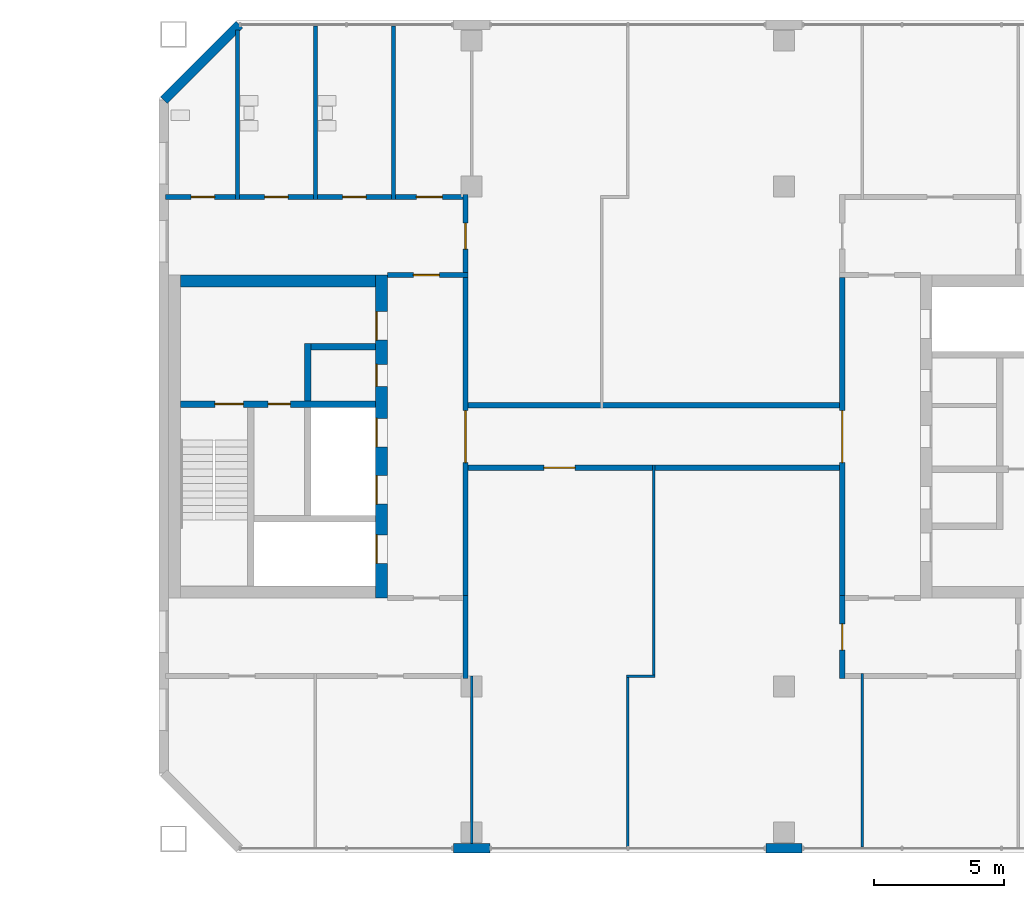
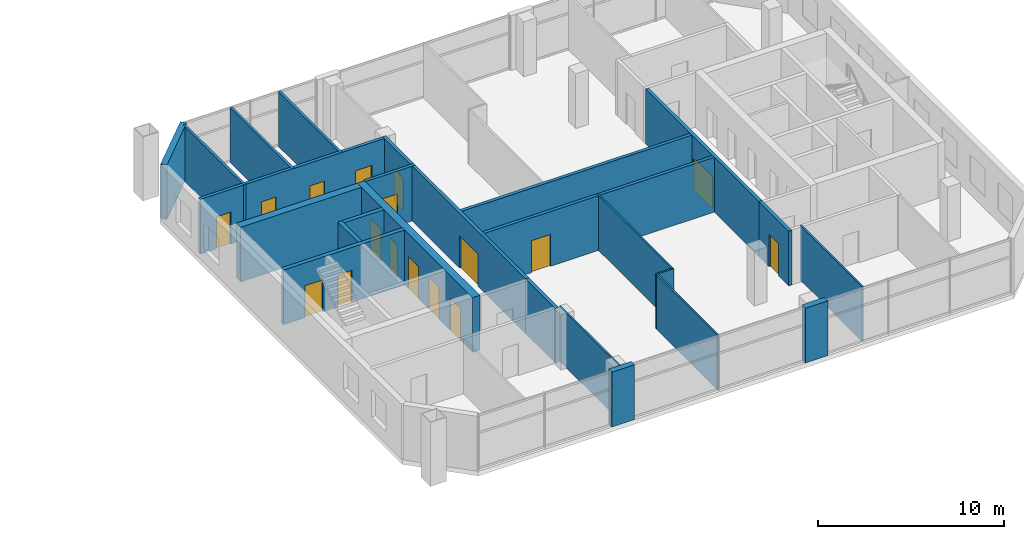
# One storey, part 14 of 19: 25 walls, 17 doors, 17 openings.
"""IFC4 building model written with IfcOpenShell, lengths in metres."""

import ifcopenshell
import ifcopenshell.guid

model = None  # the IFC model being written
_history = None  # IfcOwnerHistory: only IFC2X3 demands one
_inside = {}  # id of a spatial element -> (the spatial element, [elements in it])
_under = {}  # id of a project, library or spatial element -> (it, [spatial elements below it])
_declared = {}  # id of a project -> (the project, [libraries it declares])
_typed = {}  # id of a type object -> (the type object, [elements of that type])
_made_of = {}  # id of a material, layer set ... -> (it, [elements and type objects made of it])


def new_model(schema):
    """Start an empty IFC model of exactly this schema.

    Asked for "IFC4X3", IfcOpenShell would pick the latest addendum, in which some entities
    have other attributes; the version numbers below select the first issue.
    IFC2X3 requires an IfcOwnerHistory on every rooted entity: one is made here for all.
    """
    global model, _history
    if schema == "IFC4X3":
        model = ifcopenshell.file(schema_version=(4, 3, 0, 0))
    else:
        model = ifcopenshell.file(schema=schema)
    _inside.clear()
    _under.clear()
    _declared.clear()
    _typed.clear()
    _made_of.clear()
    _history = None
    if model.schema == "IFC2X3":
        org = make("IfcOrganization", Name="unknown")
        user = make(
            "IfcPersonAndOrganization",
            ThePerson=make("IfcPerson", FamilyName="unknown"),
            TheOrganization=org,
        )
        app = make(
            "IfcApplication",
            ApplicationDeveloper=org,
            Version="unknown",
            ApplicationFullName="unknown",
            ApplicationIdentifier="unknown",
        )
        _history = make(
            "IfcOwnerHistory",
            OwningUser=user,
            OwningApplication=app,
            ChangeAction="ADDED",
            CreationDate=0,
        )
    return model


def make(cls, **values):
    """One entity of the class cls with the attributes given. An attribute that is None is left unset."""
    return model.create_entity(
        cls, **{name: value for name, value in values.items() if value is not None}
    )


def rooted(cls, **values):
    """An entity with a GlobalId (a new one), such as an element, a storey or a relation."""
    return make(cls, GlobalId=ifcopenshell.guid.new(), OwnerHistory=_history, **values)


def si_unit(unit_type, name, prefix=None):
    """IfcSIUnit, for example si_unit("LENGTHUNIT", "METRE", prefix="MILLI")."""
    return make("IfcSIUnit", UnitType=unit_type, Prefix=prefix, Name=name)


def assignment(units):
    """IfcUnitAssignment: the units of a project."""
    return None if units is None else make("IfcUnitAssignment", Units=units)


def point(xyz):
    """IfcCartesianPoint."""
    return None if xyz is None else make("IfcCartesianPoint", Coordinates=xyz)


def direction(xyz):
    """IfcDirection."""
    return None if xyz is None else make("IfcDirection", DirectionRatios=xyz)


def frame(location, z_axis=None, x_axis=None):
    """IfcAxis2Placement3D, a coordinate frame: its origin and axes. An axis left out is left unset."""
    return make(
        "IfcAxis2Placement3D",
        Location=point(location),
        Axis=direction(z_axis),
        RefDirection=direction(x_axis),
    )


def frame_2d(location, x_axis=None):
    """IfcAxis2Placement2D, a coordinate frame in the plane: its origin and x axis."""
    return make(
        "IfcAxis2Placement2D", Location=point(location), RefDirection=direction(x_axis)
    )


def origin():
    """The frame at (0, 0, 0) with its axes left unset."""
    return frame((0.0, 0.0, 0.0))


def place(relative_to, where):
    """IfcLocalPlacement: puts the frame where relative to a parent placement (None: the world)."""
    return make(
        "IfcLocalPlacement", PlacementRelTo=relative_to, RelativePlacement=where
    )


def context(
    kind, dimensions, precision=None, world=None, true_north=None, identifier=None
):
    """IfcGeometricRepresentationContext, for example the 3D "Model" context."""
    return make(
        "IfcGeometricRepresentationContext",
        ContextIdentifier=identifier,
        ContextType=kind,
        CoordinateSpaceDimension=dimensions,
        Precision=precision,
        WorldCoordinateSystem=world,
        TrueNorth=true_north,
    )


def subcontext(parent, identifier, kind, view, scale=None):
    """IfcGeometricRepresentationSubContext, for example "Body" below "Model"."""
    return make(
        "IfcGeometricRepresentationSubContext",
        ContextIdentifier=identifier,
        ContextType=kind,
        ParentContext=parent,
        TargetScale=scale,
        TargetView=view,
    )


def project(units=None, contexts=None):
    """IfcProject with its units and contexts."""
    return rooted(
        "IfcProject",
        Name="project",
        RepresentationContexts=contexts,
        UnitsInContext=assignment(units),
    )


def spatial(cls, under=None, at=None, **own):
    """A site, building, storey or space (cls), placed at a placement, below another one or the project."""
    s = rooted(cls, ObjectPlacement=at, **own)
    if under is not None:
        _under.setdefault(under.id(), (under, []))[1].append(s)
    return s


def profile(cls, at=None, kind="AREA", **sizes):
    """A parametric profile (cls). Its sizes go by their IFC names, for example OverallWidth=200.0."""
    return make(cls, ProfileType=kind, Position=at, **sizes)


def rectangle(**sizes):
    """IfcRectangleProfileDef."""
    return profile("IfcRectangleProfileDef", **sizes)


def extrude(swept, where, along, depth):
    """IfcExtrudedAreaSolid: the profile swept, set in the frame where, extruded along a direction by depth."""
    return make(
        "IfcExtrudedAreaSolid",
        SweptArea=swept,
        Position=where,
        ExtrudedDirection=direction(along),
        Depth=depth,
    )


def shape(context_of_items, identifier, shape_type, items):
    """IfcShapeRepresentation: the items that make up one representation, for example the "Body"."""
    return make(
        "IfcShapeRepresentation",
        ContextOfItems=context_of_items,
        RepresentationIdentifier=identifier,
        RepresentationType=shape_type,
        Items=items,
    )


def material(Name=None, Category=None):
    """IfcMaterial."""
    return make("IfcMaterial", Name=Name, Category=Category)


def layer(
    of_material, thickness, ventilated=None, Name=None, Category=None, Priority=None
):
    """IfcMaterialLayer: one layer of a wall or slab, of a material (None: an air gap)."""
    return make(
        "IfcMaterialLayer",
        Material=of_material,
        LayerThickness=thickness,
        IsVentilated=ventilated,
        Name=Name,
        Category=Category,
        Priority=Priority,
    )


def layer_set(layers, Name=None):
    """IfcMaterialLayerSet."""
    return make("IfcMaterialLayerSet", MaterialLayers=layers, LayerSetName=Name)


def made_of(thing, what):
    """Note that an element or type object is made of a material, layer set ...; save() writes the relation."""
    if what is not None:
        _made_of.setdefault(what.id(), (what, []))[1].append(thing)
    return thing


def type_object(cls, material=None, **own):
    """A type object (cls), such as IfcWallType, which elements share."""
    return made_of(rooted(cls, **own), material)


def element(
    cls,
    number,
    at=None,
    inside=None,
    cuts=None,
    type_object=None,
    material=None,
    context=None,
    identifier="Body",
    shape_type=None,
    held_by="IfcProductDefinitionShape",
    body=None,
    shapes=None,
    **own,
):
    """One element of the class cls, such as IfcWall. Its Tag is "e" and its number.

    at: its placement. inside: the storey or other place that contains it. cuts: it is an
    opening in that element (IfcRelVoidsElement). A single representation is given by context,
    identifier, shape_type and body (its items); several are given by shapes. held_by: the class
    of the entity that holds the representations. save() writes the other relations.
    """
    e = rooted(cls, Tag="e%d" % number, ObjectPlacement=at, **own)
    if body is not None:
        shapes = [shape(context, identifier, shape_type, body)]
    if shapes is not None:
        e.Representation = make(held_by, Representations=shapes)
    if inside is not None:
        _inside.setdefault(inside.id(), (inside, []))[1].append(e)
    if cuts is not None:
        rooted(
            "IfcRelVoidsElement", RelatingBuildingElement=cuts, RelatedOpeningElement=e
        )
    if type_object is not None:
        _typed.setdefault(type_object.id(), (type_object, []))[1].append(e)
    return made_of(e, material)


def fill(opening, filler):
    """IfcRelFillsElement: the door or window that sits in an opening."""
    return rooted(
        "IfcRelFillsElement",
        RelatingOpeningElement=opening,
        RelatedBuildingElement=filler,
    )


def aggregate(whole, parts):
    """IfcRelAggregates: a whole, such as a stair, and the parts it consists of."""
    return rooted("IfcRelAggregates", RelatingObject=whole, RelatedObjects=parts)


def save(model, path):
    """Write the relations noted so far, then the file.

    IfcRelAggregates (storeys below a building ...), IfcRelContainedInSpatialStructure (elements
    in a storey), IfcRelDefinesByType, IfcRelAssociatesMaterial and IfcRelDeclares: one each for
    every whole, place, type object, material and project.
    """
    for whole, parts in _under.values():
        aggregate(whole, parts)
    for where, things in _inside.values():
        rooted(
            "IfcRelContainedInSpatialStructure",
            RelatedElements=things,
            RelatingStructure=where,
        )
    for kind, things in _typed.values():
        rooted("IfcRelDefinesByType", RelatedObjects=things, RelatingType=kind)
    for what, things in _made_of.values():
        rooted("IfcRelAssociatesMaterial", RelatedObjects=things, RelatingMaterial=what)
    for by, libraries in _declared.values():
        rooted("IfcRelDeclares", RelatingContext=by, RelatedDefinitions=libraries)
    model.write(path)


model = new_model("IFC4")

# Units and contexts
model_context = context("Model", 3, precision=1e-05, world=origin(), true_north=direction((0.0, 1.0)))
body_context = subcontext(model_context, "Body", "Model", "MODEL_VIEW")
ifc_project = project(units=[si_unit("LENGTHUNIT", "METRE"), si_unit("AREAUNIT", "SQUARE_METRE"), si_unit("VOLUMEUNIT", "CUBIC_METRE"), si_unit("PLANEANGLEUNIT", "RADIAN"), si_unit("MASSUNIT", "GRAM", prefix="KILO")], contexts=[model_context])

# Site, building, storey
site_placement = place(None, origin())
site = spatial("IfcSite", under=ifc_project, at=site_placement, CompositionType="ELEMENT")
building_placement = place(site_placement, origin())
building = spatial("IfcBuilding", under=site, at=building_placement, Name="Tuart Gate Housing", CompositionType="ELEMENT")
storey_placement = place(building_placement, frame((0.0, 0.0, 171.60009765625)))
storey = spatial("IfcBuildingStorey", under=building, at=storey_placement, Name="L48", CompositionType="ELEMENT", Elevation=171.60009765625)

# Walls
ifc_material_1 = material(Name="Gypsum board on steel studs", Category="steel")
ifc_layer_1 = layer(ifc_material_1, 0.14990234375)
ifc_layer_set_1 = layer_set([ifc_layer_1], Name="Bathroom wall 150")
wall_type_1 = type_object("IfcWallType", Name="Bathroom wall 150", PredefinedType="PLUMBINGWALL", material=ifc_layer_set_1)
wall_1_placement = place(storey_placement, frame((134.0, 79.10009765625, 0.0), z_axis=(0.0, 0.0, 1.0), x_axis=(0.0, 1.0, 0.0)))
element("IfcWall", 1, at=wall_1_placement, inside=storey, type_object=wall_type_1, Name="Bathroom wall 150", PredefinedType="PLUMBINGWALL", context=body_context, shape_type="SweptSolid", body=[
    extrude(rectangle(XDim=6.510986328125, YDim=0.14990234375, at=frame_2d((3.25537109375, 0.0))), origin(), (0.0, 0.0, 1.0), 3.599853515625),
])
for number, where, z_axis, x_axis, name in (
    (2, (137.0, 79.10009765625, 0.0), (0.0, 0.0, 1.0), (0.0, 1.0, 0.0), "Bathroom wall 150"),
    (3, (140.0, 79.10009765625, 0.0), (0.0, 0.0, 1.0), (0.0, 1.0, 0.0), "Bathroom wall 150"),
):
    element("IfcWall", number, at=place(storey_placement, frame(where, z_axis=z_axis, x_axis=x_axis)), inside=storey, type_object=wall_type_1, Name=name, PredefinedType="PLUMBINGWALL", context=body_context, shape_type="SweptSolid", body=[
        extrude(rectangle(XDim=6.659912109375, YDim=0.14990234375, at=frame_2d((3.330078125, 0.0))), origin(), (0.0, 0.0, 1.0), 3.599853515625),
    ])
ifc_material_2 = material(Name="Brick", Category="masonry")
ifc_layer_2 = layer(ifc_material_2, 0.360107421875)
ifc_layer_set_2 = layer_set([ifc_layer_2], Name="Brick pier and spandrel wall 360")
wall_type_2 = type_object("IfcWallType", Name="Brick pier and spandrel wall 360", PredefinedType="STANDARD", material=ifc_layer_set_2)
for number, where, z_axis, x_axis, name in (
    (4, (142.300048828125, 54.179931640625, 0.0), (0.0, 0.0, 1.0), (1.0, 0.0, 0.0), "External wall B-S L48"),
    (5, (154.300048828125, 54.179931640625, 0.0), (0.0, 0.0, 1.0), (1.0, 0.0, 0.0), "External wall B-S L48"),
):
    element("IfcWall", number, at=place(storey_placement, frame(where, z_axis=z_axis, x_axis=x_axis)), inside=storey, type_object=wall_type_2, Name=name, PredefinedType="STANDARD", context=body_context, shape_type="SweptSolid", body=[
        extrude(rectangle(XDim=1.39990234375, YDim=0.360107421875, at=frame_2d((0.699951171875, 0.0))), origin(), (0.0, 0.0, 1.0), 3.599853515625),
    ])
wall_2_placement = place(storey_placement, frame((134.07470703125, 85.820068359375, 0.0), z_axis=(0.0, 0.0, 1.0), x_axis=(-0.707106781187, -0.707106781187, 0.0)))
element("IfcWall", 6, at=wall_2_placement, inside=storey, type_object=wall_type_2, Name="External wall B-NW L48", PredefinedType="STANDARD", context=body_context, shape_type="SweptSolid", body=[
    extrude(rectangle(XDim=4.09375, YDim=0.360107421875, at=frame_2d((2.046875, 0.0))), origin(), (0.0, 0.0, 1.0), 3.599853515625),
])

# Wall, openings, doors
ifc_material_3 = material(Name="Concrete C40", Category="concrete")
ifc_layer_3 = layer(ifc_material_3, 0.25)
ifc_layer_set_3 = layer_set([ifc_layer_3], Name="Core wall 250 C40")
wall_type_3 = type_object("IfcWallType", Name="Core wall 250 C40", PredefinedType="SHEAR", material=ifc_layer_set_3)
wall_3_placement = place(storey_placement, frame((139.31005859375, 71.25, 0.0), z_axis=(0.0, 0.0, 1.0), x_axis=(-1.0, 0.0, 0.0)))
wall_3 = element("IfcWall", 7, at=wall_3_placement, inside=storey, type_object=wall_type_3, Name="Core wall BG.2", PredefinedType="SHEAR", context=body_context, shape_type="SweptSolid", body=[
    extrude(rectangle(XDim=7.5, YDim=0.25, at=frame_2d((3.75, 0.0))), origin(), (0.0, 0.0, 1.0), 3.599853515625),
])
opening_1_placement = place(wall_3_placement, frame((5.074951171875, 0.0, 0.0)))
opening_1 = element("IfcOpeningElement", 8, at=opening_1_placement, cuts=wall_3, Name="Opening D255", PredefinedType="OPENING", context=body_context, shape_type="SweptSolid", body=[
    extrude(rectangle(XDim=1.10009765625, YDim=2.10009765625, at=frame_2d((0.550048828125, 1.050048828125))), frame((0.0, 0.135009765625, 0.0), z_axis=(0.0, -1.0, 0.0), x_axis=(1.0, 0.0, 0.0)), (0.0, 0.0, 1.0), 0.27001953125),
])
opening_2_placement = place(wall_3_placement, frame((3.27490234375, 0.0, 0.0)))
opening_2 = element("IfcOpeningElement", 9, at=opening_2_placement, cuts=wall_3, Name="Opening D254", PredefinedType="OPENING", context=body_context, shape_type="SweptSolid", body=[
    extrude(rectangle(XDim=0.85009765625, YDim=2.10009765625, at=frame_2d((0.425048828125, 1.050048828125))), frame((0.0, 0.135009765625, 0.0), z_axis=(0.0, -1.0, 0.0), x_axis=(1.0, 0.0, 0.0)), (0.0, 0.0, 1.0), 0.27001953125),
])
ifc_material_4 = material(Name="Steel fire door", Category="steel")
door_type_1 = type_object("IfcDoorType", Name="Riser door 850 x 2100", OperationType="SINGLE_SWING_LEFT", PredefinedType="DOOR", material=ifc_material_4)
door_1_placement = place(opening_2_placement, origin())
door_1 = element("IfcDoor", 10, at=door_1_placement, inside=storey, type_object=door_type_1, Name="Service room door BG.W1", OperationType="SINGLE_SWING_LEFT", OverallHeight=2.10009765625, OverallWidth=0.85009765625, PredefinedType="DOOR", context=body_context, shape_type="SweptSolid", body=[
    extrude(rectangle(XDim=0.85009765625, YDim=2.10009765625, at=frame_2d((0.425048828125, 1.050048828125))), frame((0.0, 0.02490234375, 0.0), z_axis=(0.0, -1.0, 0.0), x_axis=(1.0, 0.0, 0.0)), (0.0, 0.0, 1.0), 0.050048828125),
])
fill(opening_2, door_1)
ifc_material_5 = material(Name="Steel fire door", Category="steel")
door_type_2 = type_object("IfcDoorType", Name="Stair door 1100 x 2100", OperationType="SINGLE_SWING_LEFT", PredefinedType="DOOR", material=ifc_material_5)
door_2_placement = place(opening_1_placement, origin())
door_2 = element("IfcDoor", 11, at=door_2_placement, inside=storey, type_object=door_type_2, Name="Stair door BG.SD", OperationType="SINGLE_SWING_LEFT", OverallHeight=2.10009765625, OverallWidth=1.10009765625, PredefinedType="DOOR", context=body_context, shape_type="SweptSolid", body=[
    extrude(rectangle(XDim=1.10009765625, YDim=2.10009765625, at=frame_2d((0.550048828125, 1.050048828125))), frame((0.0, 0.02490234375, 0.0), z_axis=(0.0, -1.0, 0.0), x_axis=(1.0, 0.0, 0.0)), (0.0, 0.0, 1.0), 0.050048828125),
])
fill(opening_1, door_2)

# Walls
wall_4_placement = place(storey_placement, frame((139.31005859375, 73.449951171875, 0.0), z_axis=(0.0, 0.0, 1.0), x_axis=(-1.0, 0.0, 0.0)))
element("IfcWall", 12, at=wall_4_placement, inside=storey, type_object=wall_type_3, Name="Core wall BG.3", PredefinedType="SHEAR", context=body_context, shape_type="SweptSolid", body=[
    extrude(rectangle(XDim=2.47509765625, YDim=0.25, at=frame_2d((1.237548828125, 0.0))), origin(), (0.0, 0.0, 1.0), 3.599853515625),
])
wall_5_placement = place(storey_placement, frame((136.7099609375, 71.375, 0.0), z_axis=(0.0, 0.0, 1.0), x_axis=(0.0, 1.0, 0.0)))
element("IfcWall", 13, at=wall_5_placement, inside=storey, type_object=wall_type_3, Name="Core wall BG.5", PredefinedType="SHEAR", context=body_context, shape_type="SweptSolid", body=[
    extrude(rectangle(XDim=2.199951171875, YDim=0.25, at=frame_2d((1.10009765625, 0.0))), origin(), (0.0, 0.0, 1.0), 3.599853515625),
])

# Wall, openings, doors
ifc_material_6 = material(Name="Concrete C40", Category="concrete")
ifc_layer_4 = layer(ifc_material_6, 0.449951171875)
ifc_layer_set_4 = layer_set([ifc_layer_4], Name="Core wall 450 C40")
wall_type_4 = type_object("IfcWallType", Name="Core wall 450 C40", PredefinedType="SHEAR", material=ifc_layer_set_4)
wall_6_placement = place(storey_placement, frame((139.534912109375, 63.800048828125, 0.0), z_axis=(0.0, 0.0, 1.0), x_axis=(0.0, 1.0, 0.0)))
wall_6 = element("IfcWall", 14, at=wall_6_placement, inside=storey, type_object=wall_type_4, Name="Core wall BG front", PredefinedType="SHEAR", context=body_context, shape_type="SweptSolid", body=[
    extrude(rectangle(XDim=12.39990234375, YDim=0.449951171875, at=frame_2d((6.199951171875, 0.0))), origin(), (0.0, 0.0, 1.0), 3.599853515625),
])
opening_3_placement = place(wall_6_placement, frame((1.324951171875, 0.0, 0.0)))
opening_3 = element("IfcOpeningElement", 15, at=opening_3_placement, cuts=wall_6, Name="Opening LD-FB1", PredefinedType="OPENING", context=body_context, shape_type="SweptSolid", body=[
    extrude(rectangle(XDim=1.10009765625, YDim=2.10009765625, at=frame_2d((0.550048828125, 1.050048828125))), frame((0.0, 0.23486328125, 0.0), z_axis=(0.0, -1.0, 0.0), x_axis=(1.0, 0.0, 0.0)), (0.0, 0.0, 1.0), 0.469970703125),
])
opening_4_placement = place(wall_6_placement, frame((3.60009765625, 0.0, 0.0)))
opening_4 = element("IfcOpeningElement", 16, at=opening_4_placement, cuts=wall_6, Name="Opening LD-LB1", PredefinedType="OPENING", context=body_context, shape_type="SweptSolid", body=[
    extrude(rectangle(XDim=1.10009765625, YDim=2.10009765625, at=frame_2d((0.550048828125, 1.050048828125))), frame((0.0, 0.23486328125, 0.0), z_axis=(0.0, -1.0, 0.0), x_axis=(1.0, 0.0, 0.0)), (0.0, 0.0, 1.0), 0.469970703125),
])
opening_5_placement = place(wall_6_placement, frame((5.800048828125, 0.0, 0.0)))
opening_5 = element("IfcOpeningElement", 17, at=opening_5_placement, cuts=wall_6, Name="Opening LD-LB2", PredefinedType="OPENING", context=body_context, shape_type="SweptSolid", body=[
    extrude(rectangle(XDim=1.10009765625, YDim=2.10009765625, at=frame_2d((0.550048828125, 1.050048828125))), frame((0.0, 0.23486328125, 0.0), z_axis=(0.0, -1.0, 0.0), x_axis=(1.0, 0.0, 0.0)), (0.0, 0.0, 1.0), 0.469970703125),
])
opening_6_placement = place(wall_6_placement, frame((9.89990234375, 0.0, 0.0)))
opening_6 = element("IfcOpeningElement", 18, at=opening_6_placement, cuts=wall_6, Name="Opening D256", PredefinedType="OPENING", context=body_context, shape_type="SweptSolid", body=[
    extrude(rectangle(XDim=1.10009765625, YDim=2.10009765625, at=frame_2d((0.550048828125, 1.050048828125))), frame((0.0, 0.23486328125, 0.0), z_axis=(0.0, -1.0, 0.0), x_axis=(1.0, 0.0, 0.0)), (0.0, 0.0, 1.0), 0.469970703125),
])
opening_7_placement = place(wall_6_placement, frame((8.125, 0.0, 0.0)))
opening_7 = element("IfcOpeningElement", 19, at=opening_7_placement, cuts=wall_6, Name="Opening D257", PredefinedType="OPENING", context=body_context, shape_type="SweptSolid", body=[
    extrude(rectangle(XDim=0.85009765625, YDim=2.10009765625, at=frame_2d((0.425048828125, 1.050048828125))), frame((0.0, 0.23486328125, 0.0), z_axis=(0.0, -1.0, 0.0), x_axis=(1.0, 0.0, 0.0)), (0.0, 0.0, 1.0), 0.469970703125),
])
ifc_material_7 = material(Name="Stainless steel", Category="steel")
door_type_3 = type_object("IfcDoorType", Name="Landing door 1100 x 2100", OperationType="DOUBLE_DOOR_SLIDING", PredefinedType="DOOR", material=ifc_material_7)
door_3_placement = place(opening_3_placement, origin())
door_3 = element("IfcDoor", 20, at=door_3_placement, inside=storey, type_object=door_type_3, Name="Lift landing door FB1", OperationType="DOUBLE_DOOR_SLIDING", OverallHeight=2.10009765625, OverallWidth=1.10009765625, PredefinedType="DOOR", context=body_context, shape_type="SweptSolid", body=[
    extrude(rectangle(XDim=1.10009765625, YDim=2.10009765625, at=frame_2d((0.550048828125, 1.050048828125))), frame((0.0, 0.2099609375, 0.0), z_axis=(0.0, -1.0, 0.0), x_axis=(1.0, 0.0, 0.0)), (0.0, 0.0, 1.0), 0.050048828125),
])
fill(opening_3, door_3)
door_4_placement = place(opening_4_placement, origin())
door_4 = element("IfcDoor", 21, at=door_4_placement, inside=storey, type_object=door_type_3, Name="Lift landing door LB1", OperationType="DOUBLE_DOOR_SLIDING", OverallHeight=2.10009765625, OverallWidth=1.10009765625, PredefinedType="DOOR", context=body_context, shape_type="SweptSolid", body=[
    extrude(rectangle(XDim=1.10009765625, YDim=2.10009765625, at=frame_2d((0.550048828125, 1.050048828125))), frame((0.0, 0.2099609375, 0.0), z_axis=(0.0, -1.0, 0.0), x_axis=(1.0, 0.0, 0.0)), (0.0, 0.0, 1.0), 0.050048828125),
])
fill(opening_4, door_4)
door_5_placement = place(opening_5_placement, origin())
door_5 = element("IfcDoor", 22, at=door_5_placement, inside=storey, type_object=door_type_3, Name="Lift landing door LB2", OperationType="DOUBLE_DOOR_SLIDING", OverallHeight=2.10009765625, OverallWidth=1.10009765625, PredefinedType="DOOR", context=body_context, shape_type="SweptSolid", body=[
    extrude(rectangle(XDim=1.10009765625, YDim=2.10009765625, at=frame_2d((0.550048828125, 1.050048828125))), frame((0.0, 0.2099609375, 0.0), z_axis=(0.0, -1.0, 0.0), x_axis=(1.0, 0.0, 0.0)), (0.0, 0.0, 1.0), 0.050048828125),
])
fill(opening_5, door_5)
ifc_material_8 = material(Name="Steel fire door", Category="steel")
door_type_4 = type_object("IfcDoorType", Name="Lobby door 1100 x 2100", OperationType="SINGLE_SWING_LEFT", PredefinedType="DOOR", material=ifc_material_8)
door_6_placement = place(opening_6_placement, origin())
door_6 = element("IfcDoor", 23, at=door_6_placement, inside=storey, type_object=door_type_4, Name="Lobby entry door BG.EN", OperationType="SINGLE_SWING_LEFT", OverallHeight=2.10009765625, OverallWidth=1.10009765625, PredefinedType="DOOR", context=body_context, shape_type="SweptSolid", body=[
    extrude(rectangle(XDim=1.10009765625, YDim=2.10009765625, at=frame_2d((0.550048828125, 1.050048828125))), frame((0.0, 0.2099609375, 0.0), z_axis=(0.0, -1.0, 0.0), x_axis=(1.0, 0.0, 0.0)), (0.0, 0.0, 1.0), 0.050048828125),
])
fill(opening_6, door_6)
ifc_material_9 = material(Name="Steel fire door", Category="steel")
door_type_5 = type_object("IfcDoorType", Name="Service door 850 x 2100", OperationType="SINGLE_SWING_LEFT", PredefinedType="DOOR", material=ifc_material_9)
door_7_placement = place(opening_7_placement, origin())
door_7 = element("IfcDoor", 24, at=door_7_placement, inside=storey, type_object=door_type_5, Name="Service room door BG.T1", OperationType="SINGLE_SWING_LEFT", OverallHeight=2.10009765625, OverallWidth=0.85009765625, PredefinedType="DOOR", context=body_context, shape_type="SweptSolid", body=[
    extrude(rectangle(XDim=0.85009765625, YDim=2.10009765625, at=frame_2d((0.425048828125, 1.050048828125))), frame((0.0, 0.2099609375, 0.0), z_axis=(0.0, -1.0, 0.0), x_axis=(1.0, 0.0, 0.0)), (0.0, 0.0, 1.0), 0.050048828125),
])
fill(opening_7, door_7)

# Wall
wall_7_placement = place(storey_placement, frame((139.31005859375, 75.97509765625, 0.0), z_axis=(0.0, 0.0, 1.0), x_axis=(-1.0, 0.0, 0.0)))
element("IfcWall", 25, at=wall_7_placement, inside=storey, type_object=wall_type_4, Name="Core wall BG north", PredefinedType="SHEAR", context=body_context, shape_type="SweptSolid", body=[
    extrude(rectangle(XDim=7.5, YDim=0.449951171875, at=frame_2d((3.75, 0.0))), origin(), (0.0, 0.0, 1.0), 3.599853515625),
])

# Wall, opening, door
ifc_material_10 = material(Name="Concrete masonry 15 MPa", Category="masonry")
ifc_layer_5 = layer(ifc_material_10, 0.199951171875)
ifc_layer_set_5 = layer_set([ifc_layer_5], Name="Corridor wall masonry 200")
wall_type_5 = type_object("IfcWallType", Name="Corridor wall masonry 200", PredefinedType="PARTITIONING", material=ifc_layer_set_5)
wall_8_placement = place(storey_placement, frame((142.760009765625, 68.800048828125, 0.0), z_axis=(0.0, 0.0, 1.0), x_axis=(1.0, 0.0, 0.0)))
wall_8 = element("IfcWall", 26, at=wall_8_placement, inside=storey, type_object=wall_type_5, Name="Corridor wall masonry 200", PredefinedType="PARTITIONING", context=body_context, shape_type="SweptSolid", body=[
    extrude(rectangle(XDim=14.47998046875, YDim=0.199951171875, at=frame_2d((7.239990234375, 0.0))), origin(), (0.0, 0.0, 1.0), 3.599853515625),
])
opening_8_placement = place(wall_8_placement, frame((3.02001953125, 0.0, 0.0)))
opening_8 = element("IfcOpeningElement", 27, at=opening_8_placement, cuts=wall_8, Name="Opening D264", PredefinedType="OPENING", context=body_context, shape_type="SweptSolid", body=[
    extrude(rectangle(XDim=1.199951171875, YDim=2.10009765625, at=frame_2d((0.60009765625, 1.050048828125))), frame((0.0, 0.10986328125, 0.0), z_axis=(0.0, -1.0, 0.0), x_axis=(1.0, 0.0, 0.0)), (0.0, 0.0, 1.0), 0.219970703125),
])
ifc_material_11 = material(Name="Timber door leaf in steel frame", Category="steel")
door_type_6 = type_object("IfcDoorType", Name="Fire door 1200 RH", OperationType="SINGLE_SWING_RIGHT", PredefinedType="DOOR", material=ifc_material_11)
door_8_placement = place(opening_8_placement, frame((1.199951171875, 0.0, 0.0), z_axis=(0.0, 0.0, 1.0), x_axis=(-1.0, 0.0, 0.0)))
door_8 = element("IfcDoor", 28, at=door_8_placement, inside=storey, type_object=door_type_6, Name="Fire door 1200", OperationType="SINGLE_SWING_RIGHT", OverallHeight=2.10009765625, OverallWidth=1.199951171875, PredefinedType="DOOR", context=body_context, shape_type="SweptSolid", body=[
    extrude(rectangle(XDim=1.199951171875, YDim=2.10009765625, at=frame_2d((0.599853515625, 1.050048828125))), frame((0.0, 0.025146484375, 0.0), z_axis=(0.0, -1.0, 0.0), x_axis=(1.0, 0.0, 0.0)), (0.0, 0.0, 1.0), 0.050048828125),
])
fill(opening_8, door_8)

# Wall
wall_9_placement = place(storey_placement, frame((142.760009765625, 71.199951171875, 0.0), z_axis=(0.0, 0.0, 1.0), x_axis=(1.0, 0.0, 0.0)))
element("IfcWall", 29, at=wall_9_placement, inside=storey, type_object=wall_type_5, Name="Corridor wall masonry 200", PredefinedType="PARTITIONING", context=body_context, shape_type="SweptSolid", body=[
    extrude(rectangle(XDim=14.47998046875, YDim=0.199951171875, at=frame_2d((7.239990234375, 0.0))), origin(), (0.0, 0.0, 1.0), 3.599853515625),
])

# Wall, openings, doors
wall_10_placement = place(storey_placement, frame((131.239990234375, 79.199951171875, 0.0), z_axis=(0.0, 0.0, 1.0), x_axis=(1.0, 0.0, 0.0)))
wall_10 = element("IfcWall", 30, at=wall_10_placement, inside=storey, type_object=wall_type_5, Name="Corridor wall masonry 200", PredefinedType="PARTITIONING", context=body_context, shape_type="SweptSolid", body=[
    extrude(rectangle(XDim=11.6220703125, YDim=0.199951171875, at=frame_2d((5.81103515625, 0.0))), origin(), (0.0, 0.0, 1.0), 3.599853515625),
])
opening_9_placement = place(wall_10_placement, frame((0.989990234375, 0.0, 0.0)))
opening_9 = element("IfcOpeningElement", 31, at=opening_9_placement, cuts=wall_10, Name="Opening D245", PredefinedType="OPENING", context=body_context, shape_type="SweptSolid", body=[
    extrude(rectangle(XDim=0.89990234375, YDim=2.10009765625, at=frame_2d((0.449951171875, 1.050048828125))), frame((0.0, 0.10986328125, 0.0), z_axis=(0.0, -1.0, 0.0), x_axis=(1.0, 0.0, 0.0)), (0.0, 0.0, 1.0), 0.219970703125),
])
opening_10_placement = place(wall_10_placement, frame((3.81005859375, 0.0, 0.0)))
opening_10 = element("IfcOpeningElement", 32, at=opening_10_placement, cuts=wall_10, Name="Opening D246", PredefinedType="OPENING", context=body_context, shape_type="SweptSolid", body=[
    extrude(rectangle(XDim=0.89990234375, YDim=2.10009765625, at=frame_2d((0.449951171875, 1.050048828125))), frame((0.0, 0.10986328125, 0.0), z_axis=(0.0, -1.0, 0.0), x_axis=(1.0, 0.0, 0.0)), (0.0, 0.0, 1.0), 0.219970703125),
])
opening_11_placement = place(wall_10_placement, frame((6.81005859375, 0.0, 0.0)))
opening_11 = element("IfcOpeningElement", 33, at=opening_11_placement, cuts=wall_10, Name="Opening D247", PredefinedType="OPENING", context=body_context, shape_type="SweptSolid", body=[
    extrude(rectangle(XDim=0.89990234375, YDim=2.10009765625, at=frame_2d((0.449951171875, 1.050048828125))), frame((0.0, 0.10986328125, 0.0), z_axis=(0.0, -1.0, 0.0), x_axis=(1.0, 0.0, 0.0)), (0.0, 0.0, 1.0), 0.219970703125),
])
opening_12_placement = place(wall_10_placement, frame((9.64111328125, 0.0, 0.0)))
opening_12 = element("IfcOpeningElement", 34, at=opening_12_placement, cuts=wall_10, Name="Opening D244", PredefinedType="OPENING", context=body_context, shape_type="SweptSolid", body=[
    extrude(rectangle(XDim=1.0, YDim=2.10009765625, at=frame_2d((0.5, 1.050048828125))), frame((0.0, 0.10986328125, 0.0), z_axis=(0.0, -1.0, 0.0), x_axis=(1.0, 0.0, 0.0)), (0.0, 0.0, 1.0), 0.219970703125),
])
ifc_material_12 = material(Name="Timber door leaf in steel frame", Category="steel")
door_type_7 = type_object("IfcDoorType", Name="Fire door 1000", OperationType="SINGLE_SWING_LEFT", PredefinedType="DOOR", material=ifc_material_12)
door_9_placement = place(opening_12_placement, origin())
door_9 = element("IfcDoor", 35, at=door_9_placement, inside=storey, type_object=door_type_7, Name="Fire door 1000", OperationType="SINGLE_SWING_LEFT", OverallHeight=2.10009765625, OverallWidth=1.0, PredefinedType="DOOR", context=body_context, shape_type="SweptSolid", body=[
    extrude(rectangle(XDim=1.0, YDim=2.10009765625, at=frame_2d((0.5, 1.050048828125))), frame((0.0, 0.02490234375, 0.0), z_axis=(0.0, -1.0, 0.0), x_axis=(1.0, 0.0, 0.0)), (0.0, 0.0, 1.0), 0.050048828125),
])
fill(opening_12, door_9)
ifc_material_13 = material(Name="Timber door leaf in steel frame", Category="steel")
door_type_8 = type_object("IfcDoorType", Name="Fire door 900", OperationType="SINGLE_SWING_LEFT", PredefinedType="DOOR", material=ifc_material_13)
door_10_placement = place(opening_9_placement, origin())
door_10 = element("IfcDoor", 36, at=door_10_placement, inside=storey, type_object=door_type_8, Name="Fire door 900", OperationType="SINGLE_SWING_LEFT", OverallHeight=2.10009765625, OverallWidth=0.89990234375, PredefinedType="DOOR", context=body_context, shape_type="SweptSolid", body=[
    extrude(rectangle(XDim=0.89990234375, YDim=2.10009765625, at=frame_2d((0.449951171875, 1.050048828125))), frame((0.0, 0.02490234375, 0.0), z_axis=(0.0, -1.0, 0.0), x_axis=(1.0, 0.0, 0.0)), (0.0, 0.0, 1.0), 0.050048828125),
])
fill(opening_9, door_10)
door_11_placement = place(opening_10_placement, origin())
door_11 = element("IfcDoor", 37, at=door_11_placement, inside=storey, type_object=door_type_8, Name="Fire door 900", OperationType="SINGLE_SWING_LEFT", OverallHeight=2.10009765625, OverallWidth=0.89990234375, PredefinedType="DOOR", context=body_context, shape_type="SweptSolid", body=[
    extrude(rectangle(XDim=0.89990234375, YDim=2.10009765625, at=frame_2d((0.449951171875, 1.050048828125))), frame((0.0, 0.02490234375, 0.0), z_axis=(0.0, -1.0, 0.0), x_axis=(1.0, 0.0, 0.0)), (0.0, 0.0, 1.0), 0.050048828125),
])
fill(opening_10, door_11)
door_12_placement = place(opening_11_placement, origin())
door_12 = element("IfcDoor", 38, at=door_12_placement, inside=storey, type_object=door_type_8, Name="Fire door 900", OperationType="SINGLE_SWING_LEFT", OverallHeight=2.10009765625, OverallWidth=0.89990234375, PredefinedType="DOOR", context=body_context, shape_type="SweptSolid", body=[
    extrude(rectangle(XDim=0.89990234375, YDim=2.10009765625, at=frame_2d((0.449951171875, 1.050048828125))), frame((0.0, 0.02490234375, 0.0), z_axis=(0.0, -1.0, 0.0), x_axis=(1.0, 0.0, 0.0)), (0.0, 0.0, 1.0), 0.050048828125),
])
fill(opening_11, door_12)

# Wall
wall_11_placement = place(storey_placement, frame((142.760009765625, 60.699951171875, 0.0), z_axis=(0.0, 0.0, 1.0), x_axis=(0.0, 1.0, 0.0)))
element("IfcWall", 39, at=wall_11_placement, inside=storey, type_object=wall_type_5, Name="Corridor wall masonry 200", PredefinedType="PARTITIONING", context=body_context, shape_type="SweptSolid", body=[
    extrude(rectangle(XDim=3.199951171875, YDim=0.199951171875, at=frame_2d((1.60009765625, 0.0))), origin(), (0.0, 0.0, 1.0), 3.599853515625),
])

# Wall, opening, door
wall_12_placement = place(storey_placement, frame((142.760009765625, 76.10009765625, 0.0), z_axis=(0.0, 0.0, 1.0), x_axis=(0.0, 1.0, 0.0)))
wall_12 = element("IfcWall", 40, at=wall_12_placement, inside=storey, type_object=wall_type_5, Name="Corridor wall masonry 200", PredefinedType="PARTITIONING", context=body_context, shape_type="SweptSolid", body=[
    extrude(rectangle(XDim=3.199951171875, YDim=0.199951171875, at=frame_2d((1.60009765625, 0.0))), origin(), (0.0, 0.0, 1.0), 3.599853515625),
])
opening_13_placement = place(wall_12_placement, frame((1.10009765625, 0.0, 0.0)))
opening_13 = element("IfcOpeningElement", 41, at=opening_13_placement, cuts=wall_12, Name="Opening D250", PredefinedType="OPENING", context=body_context, shape_type="SweptSolid", body=[
    extrude(rectangle(XDim=1.0, YDim=2.10009765625, at=frame_2d((0.5, 1.050048828125))), frame((0.0, 0.10986328125, 0.0), z_axis=(0.0, -1.0, 0.0), x_axis=(1.0, 0.0, 0.0)), (0.0, 0.0, 1.0), 0.219970703125),
])
ifc_material_14 = material(Name="Timber door leaf in steel frame", Category="steel")
door_type_9 = type_object("IfcDoorType", Name="Fire door 1000 RH", OperationType="SINGLE_SWING_RIGHT", PredefinedType="DOOR", material=ifc_material_14)
door_13_placement = place(opening_13_placement, frame((1.0, 0.0, 0.0), z_axis=(0.0, 0.0, 1.0), x_axis=(-1.0, 0.0, 0.0)))
door_13 = element("IfcDoor", 42, at=door_13_placement, inside=storey, type_object=door_type_9, Name="Fire door 1000", OperationType="SINGLE_SWING_RIGHT", OverallHeight=2.10009765625, OverallWidth=1.0, PredefinedType="DOOR", context=body_context, shape_type="SweptSolid", body=[
    extrude(rectangle(XDim=1.0, YDim=2.10009765625, at=frame_2d((0.5, 1.050048828125))), frame((0.0, 0.025146484375, 0.0), z_axis=(0.0, -1.0, 0.0), x_axis=(1.0, 0.0, 0.0)), (0.0, 0.0, 1.0), 0.050048828125),
])
fill(opening_13, door_13)

wall_13_placement = place(storey_placement, frame((157.239990234375, 60.699951171875, 0.0), z_axis=(0.0, 0.0, 1.0), x_axis=(0.0, 1.0, 0.0)))
wall_13 = element("IfcWall", 43, at=wall_13_placement, inside=storey, type_object=wall_type_5, Name="Corridor wall masonry 200", PredefinedType="PARTITIONING", context=body_context, shape_type="SweptSolid", body=[
    extrude(rectangle(XDim=3.199951171875, YDim=0.199951171875, at=frame_2d((1.60009765625, 0.0))), origin(), (0.0, 0.0, 1.0), 3.599853515625),
])
opening_14_placement = place(wall_13_placement, frame((1.10009765625, 0.0, 0.0)))
opening_14 = element("IfcOpeningElement", 44, at=opening_14_placement, cuts=wall_13, Name="Opening D270", PredefinedType="OPENING", context=body_context, shape_type="SweptSolid", body=[
    extrude(rectangle(XDim=1.0, YDim=2.10009765625, at=frame_2d((0.5, 1.050048828125))), frame((0.0, 0.10986328125, 0.0), z_axis=(0.0, -1.0, 0.0), x_axis=(1.0, 0.0, 0.0)), (0.0, 0.0, 1.0), 0.219970703125),
])
door_14_placement = place(opening_14_placement, origin())
door_14 = element("IfcDoor", 45, at=door_14_placement, inside=storey, type_object=door_type_9, Name="Fire door 1000", OperationType="SINGLE_SWING_RIGHT", OverallHeight=2.10009765625, OverallWidth=1.0, PredefinedType="DOOR", context=body_context, shape_type="SweptSolid", body=[
    extrude(rectangle(XDim=1.0, YDim=2.10009765625, at=frame_2d((0.5, 1.050048828125))), frame((0.0, 0.02490234375, 0.0), z_axis=(0.0, -1.0, 0.0), x_axis=(1.0, 0.0, 0.0)), (0.0, 0.0, 1.0), 0.050048828125),
])
fill(opening_14, door_14)

ifc_material_15 = material(Name="Concrete masonry 15 MPa", Category="masonry")
ifc_layer_6 = layer(ifc_material_15, 0.199951171875)
ifc_layer_set_6 = layer_set([ifc_layer_6], Name="Enclosure wall masonry 200")
wall_type_6 = type_object("IfcWallType", Name="Enclosure wall masonry 200", PredefinedType="PARTITIONING", material=ifc_layer_set_6)
wall_14_placement = place(storey_placement, frame((139.760009765625, 76.199951171875, 0.0), z_axis=(0.0, 0.0, 1.0), x_axis=(1.0, 0.0, 0.0)))
wall_14 = element("IfcWall", 46, at=wall_14_placement, inside=storey, type_object=wall_type_6, Name="Enclosure wall masonry 200", PredefinedType="PARTITIONING", context=body_context, shape_type="SweptSolid", body=[
    extrude(rectangle(XDim=3.10009765625, YDim=0.199951171875, at=frame_2d((1.550048828125, 0.0))), origin(), (0.0, 0.0, 1.0), 3.599853515625),
])
opening_15_placement = place(wall_14_placement, frame((1.0, 0.0, 0.0)))
opening_15 = element("IfcOpeningElement", 47, at=opening_15_placement, cuts=wall_14, Name="Opening D252", PredefinedType="OPENING", context=body_context, shape_type="SweptSolid", body=[
    extrude(rectangle(XDim=1.0, YDim=2.10009765625, at=frame_2d((0.5, 1.050048828125))), frame((0.0, 0.10986328125, 0.0), z_axis=(0.0, -1.0, 0.0), x_axis=(1.0, 0.0, 0.0)), (0.0, 0.0, 1.0), 0.219970703125),
])
ifc_material_16 = material(Name="Timber door leaf in steel frame", Category="steel")
door_type_10 = type_object("IfcDoorType", Name="Lobby door 1000", OperationType="SINGLE_SWING_LEFT", PredefinedType="DOOR", material=ifc_material_16)
door_15_placement = place(opening_15_placement, frame((1.0, 0.0, 0.0), z_axis=(0.0, 0.0, 1.0), x_axis=(-1.0, 0.0, 0.0)))
door_15 = element("IfcDoor", 48, at=door_15_placement, inside=storey, type_object=door_type_10, Name="Lobby door 1000", OperationType="SINGLE_SWING_LEFT", OverallHeight=2.10009765625, OverallWidth=1.0, PredefinedType="DOOR", context=body_context, shape_type="SweptSolid", body=[
    extrude(rectangle(XDim=1.0, YDim=2.10009765625, at=frame_2d((0.5, 1.050048828125))), frame((0.0, 0.025146484375, 0.0), z_axis=(0.0, -1.0, 0.0), x_axis=(1.0, 0.0, 0.0)), (0.0, 0.0, 1.0), 0.050048828125),
])
fill(opening_15, door_15)

ifc_material_17 = material(Name="Plasterboard partition")
ifc_layer_7 = layer(ifc_material_17, 0.199951171875)
ifc_layer_set_7 = layer_set([ifc_layer_7], Name="Lobby wall 200")
wall_type_7 = type_object("IfcWallType", Name="Lobby wall 200", PredefinedType="PARTITIONING", material=ifc_layer_set_7)
wall_15_placement = place(storey_placement, frame((142.760009765625, 63.89990234375, 0.0), z_axis=(0.0, 0.0, 1.0), x_axis=(0.0, 1.0, 0.0)))
wall_15 = element("IfcWall", 49, at=wall_15_placement, inside=storey, type_object=wall_type_7, Name="Lift lobby wall BG", PredefinedType="PARTITIONING", context=body_context, shape_type="SweptSolid", body=[
    extrude(rectangle(XDim=12.2001953125, YDim=0.199951171875, at=frame_2d((6.10009765625, 0.0))), origin(), (0.0, 0.0, 1.0), 3.599853515625),
])
opening_16_placement = place(wall_15_placement, frame((5.10009765625, 0.0, 0.0)))
opening_16 = element("IfcOpeningElement", 50, at=opening_16_placement, cuts=wall_15, Name="Opening D258", PredefinedType="OPENING", context=body_context, shape_type="SweptSolid", body=[
    extrude(rectangle(XDim=2.0, YDim=2.10009765625, at=frame_2d((1.0, 1.050048828125))), frame((0.0, 0.10986328125, 0.0), z_axis=(0.0, -1.0, 0.0), x_axis=(1.0, 0.0, 0.0)), (0.0, 0.0, 1.0), 0.219970703125),
])
ifc_material_18 = material(Name="Steel fire door", Category="steel")
door_type_11 = type_object("IfcDoorType", Name="Smoke door 2000 x 2100", OperationType="DOUBLE_DOOR_SINGLE_SWING", PredefinedType="DOOR", material=ifc_material_18)
door_16_placement = place(opening_16_placement, origin())
door_16 = element("IfcDoor", 51, at=door_16_placement, inside=storey, type_object=door_type_11, Name="Lift lobby smoke door BG", OperationType="DOUBLE_DOOR_SINGLE_SWING", OverallHeight=2.10009765625, OverallWidth=2.0, PredefinedType="DOOR", context=body_context, shape_type="SweptSolid", body=[
    extrude(rectangle(XDim=2.0, YDim=2.10009765625, at=frame_2d((1.0, 1.050048828125))), frame((0.0, 0.02490234375, 0.0), z_axis=(0.0, -1.0, 0.0), x_axis=(1.0, 0.0, 0.0)), (0.0, 0.0, 1.0), 0.050048828125),
])
fill(opening_16, door_16)

wall_16_placement = place(storey_placement, frame((157.239990234375, 63.89990234375, 0.0), z_axis=(0.0, 0.0, 1.0), x_axis=(0.0, 1.0, 0.0)))
wall_16 = element("IfcWall", 52, at=wall_16_placement, inside=storey, type_object=wall_type_7, Name="Lift lobby wall BK", PredefinedType="PARTITIONING", context=body_context, shape_type="SweptSolid", body=[
    extrude(rectangle(XDim=12.2001953125, YDim=0.199951171875, at=frame_2d((6.10009765625, 0.0))), origin(), (0.0, 0.0, 1.0), 3.599853515625),
])
opening_17_placement = place(wall_16_placement, frame((5.10009765625, 0.0, 0.0)))
opening_17 = element("IfcOpeningElement", 53, at=opening_17_placement, cuts=wall_16, Name="Opening D259", PredefinedType="OPENING", context=body_context, shape_type="SweptSolid", body=[
    extrude(rectangle(XDim=2.0, YDim=2.10009765625, at=frame_2d((1.0, 1.050048828125))), frame((0.0, 0.10986328125, 0.0), z_axis=(0.0, -1.0, 0.0), x_axis=(1.0, 0.0, 0.0)), (0.0, 0.0, 1.0), 0.219970703125),
])
door_17_placement = place(opening_17_placement, frame((2.0, 0.0, 0.0), z_axis=(0.0, 0.0, 1.0), x_axis=(-1.0, 0.0, 0.0)))
door_17 = element("IfcDoor", 54, at=door_17_placement, inside=storey, type_object=door_type_11, Name="Lift lobby smoke door BK", OperationType="DOUBLE_DOOR_SINGLE_SWING", OverallHeight=2.10009765625, OverallWidth=2.0, PredefinedType="DOOR", context=body_context, shape_type="SweptSolid", body=[
    extrude(rectangle(XDim=2.0, YDim=2.10009765625, at=frame_2d((1.0, 1.050048828125))), frame((0.0, 0.025146484375, 0.0), z_axis=(0.0, -1.0, 0.0), x_axis=(1.0, 0.0, 0.0)), (0.0, 0.0, 1.0), 0.050048828125),
])
fill(opening_17, door_17)

# Walls
ifc_material_19 = material(Name="Gypsum board on steel studs", Category="steel")
ifc_layer_8 = layer(ifc_material_19, 0.10009765625)
ifc_layer_set_8 = layer_set([ifc_layer_8], Name="Partition 100")
wall_type_8 = type_object("IfcWallType", Name="Partition 100", PredefinedType="PARTITIONING", material=ifc_layer_set_8)
wall_17_placement = place(storey_placement, frame((148.949951171875, 60.800048828125, 0.0), z_axis=(0.0, 0.0, 1.0), x_axis=(1.0, 0.0, 0.0)))
element("IfcWall", 55, at=wall_17_placement, inside=storey, type_object=wall_type_8, Name="Partition 100", PredefinedType="PARTITIONING", context=body_context, shape_type="SweptSolid", body=[
    extrude(rectangle(XDim=1.10009765625, YDim=0.10009765625, at=frame_2d((0.550048828125, 0.0))), origin(), (0.0, 0.0, 1.0), 3.599853515625),
])
wall_18_placement = place(storey_placement, frame((143.0, 54.239990234375, 0.0), z_axis=(0.0, 0.0, 1.0), x_axis=(0.0, 1.0, 0.0)))
element("IfcWall", 56, at=wall_18_placement, inside=storey, type_object=wall_type_8, Name="Partition 100", PredefinedType="PARTITIONING", context=body_context, shape_type="SweptSolid", body=[
    extrude(rectangle(XDim=6.56005859375, YDim=0.10009765625, at=frame_2d((3.280029296875, 0.0))), origin(), (0.0, 0.0, 1.0), 3.599853515625),
])
wall_19_placement = place(storey_placement, frame((149.0, 54.239990234375, 0.0), z_axis=(0.0, 0.0, 1.0), x_axis=(0.0, 1.0, 0.0)))
element("IfcWall", 57, at=wall_19_placement, inside=storey, type_object=wall_type_8, Name="Partition 100", PredefinedType="PARTITIONING", context=body_context, shape_type="SweptSolid", body=[
    extrude(rectangle(XDim=6.610107421875, YDim=0.10009765625, at=frame_2d((3.30517578125, 0.0))), origin(), (0.0, 0.0, 1.0), 3.599853515625),
])
wall_20_placement = place(storey_placement, frame((150.0, 60.75, 0.0), z_axis=(0.0, 0.0, 1.0), x_axis=(0.0, 1.0, 0.0)))
element("IfcWall", 58, at=wall_20_placement, inside=storey, type_object=wall_type_8, Name="Partition 100", PredefinedType="PARTITIONING", context=body_context, shape_type="SweptSolid", body=[
    extrude(rectangle(XDim=8.14990234375, YDim=0.10009765625, at=frame_2d((4.074951171875, 0.0))), origin(), (0.0, 0.0, 1.0), 3.599853515625),
])
wall_21_placement = place(storey_placement, frame((158.0, 54.239990234375, 0.0), z_axis=(0.0, 0.0, 1.0), x_axis=(0.0, 1.0, 0.0)))
element("IfcWall", 59, at=wall_21_placement, inside=storey, type_object=wall_type_8, Name="Partition 100", PredefinedType="PARTITIONING", context=body_context, shape_type="SweptSolid", body=[
    extrude(rectangle(XDim=6.659912109375, YDim=0.10009765625, at=frame_2d((3.330078125, 0.0))), origin(), (0.0, 0.0, 1.0), 3.599853515625),
])

save(model, "model.ifc")
